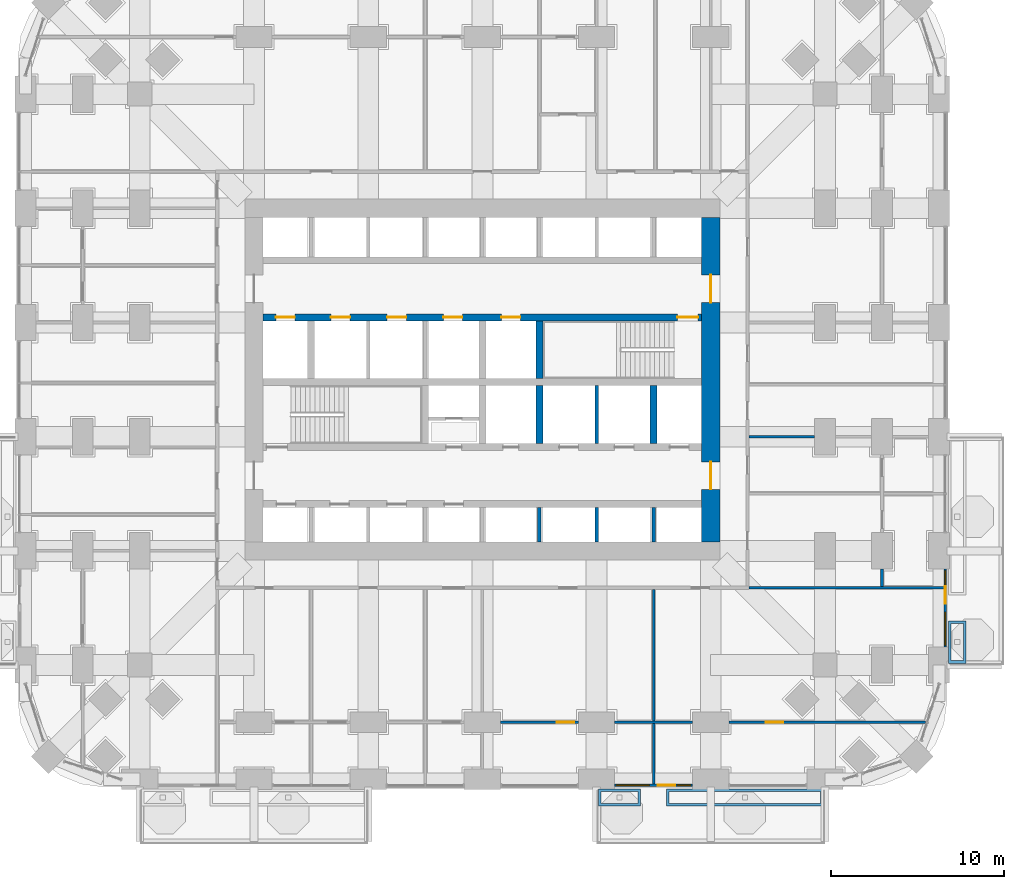
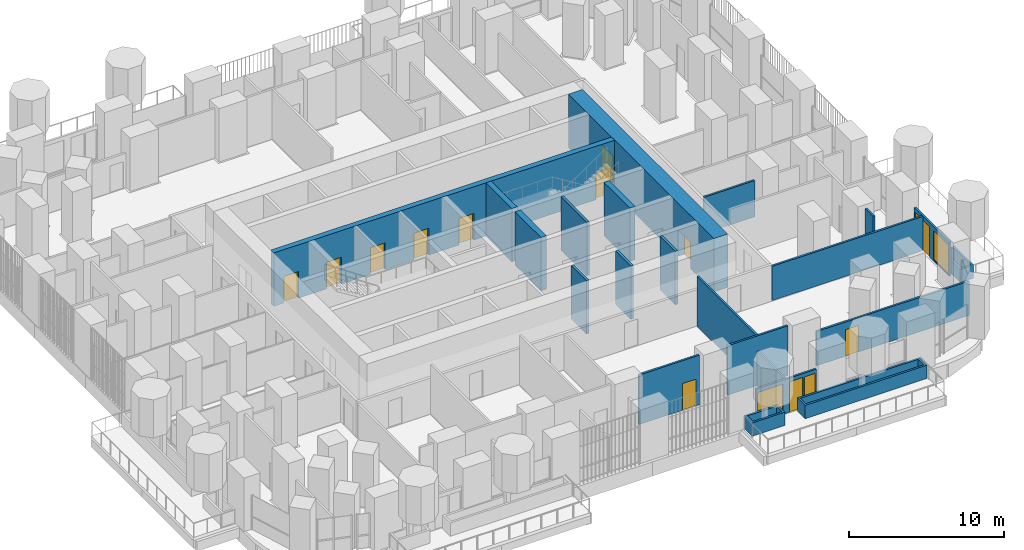
# One storey, part 20 of 27: 22 walls, 12 doors, 4 windows, 16 openings.
"""IFC4 building model written with IfcOpenShell, lengths in metres."""

import ifcopenshell
import ifcopenshell.guid

model = None  # the IFC model being written
_history = None  # IfcOwnerHistory: only IFC2X3 demands one
_inside = {}  # id of a spatial element -> (the spatial element, [elements in it])
_under = {}  # id of a project, library or spatial element -> (it, [spatial elements below it])
_declared = {}  # id of a project -> (the project, [libraries it declares])
_typed = {}  # id of a type object -> (the type object, [elements of that type])
_made_of = {}  # id of a material, layer set ... -> (it, [elements and type objects made of it])


def new_model(schema):
    """Start an empty IFC model of exactly this schema.

    Asked for "IFC4X3", IfcOpenShell would pick the latest addendum, in which some entities
    have other attributes; the version numbers below select the first issue.
    IFC2X3 requires an IfcOwnerHistory on every rooted entity: one is made here for all.
    """
    global model, _history
    if schema == "IFC4X3":
        model = ifcopenshell.file(schema_version=(4, 3, 0, 0))
    else:
        model = ifcopenshell.file(schema=schema)
    _inside.clear()
    _under.clear()
    _declared.clear()
    _typed.clear()
    _made_of.clear()
    _history = None
    if model.schema == "IFC2X3":
        org = make("IfcOrganization", Name="unknown")
        user = make(
            "IfcPersonAndOrganization",
            ThePerson=make("IfcPerson", FamilyName="unknown"),
            TheOrganization=org,
        )
        app = make(
            "IfcApplication",
            ApplicationDeveloper=org,
            Version="unknown",
            ApplicationFullName="unknown",
            ApplicationIdentifier="unknown",
        )
        _history = make(
            "IfcOwnerHistory",
            OwningUser=user,
            OwningApplication=app,
            ChangeAction="ADDED",
            CreationDate=0,
        )
    return model


def make(cls, **values):
    """One entity of the class cls with the attributes given. An attribute that is None is left unset."""
    return model.create_entity(
        cls, **{name: value for name, value in values.items() if value is not None}
    )


def rooted(cls, **values):
    """An entity with a GlobalId (a new one), such as an element, a storey or a relation."""
    return make(cls, GlobalId=ifcopenshell.guid.new(), OwnerHistory=_history, **values)


def si_unit(unit_type, name, prefix=None):
    """IfcSIUnit, for example si_unit("LENGTHUNIT", "METRE", prefix="MILLI")."""
    return make("IfcSIUnit", UnitType=unit_type, Prefix=prefix, Name=name)


def assignment(units):
    """IfcUnitAssignment: the units of a project."""
    return None if units is None else make("IfcUnitAssignment", Units=units)


def point(xyz):
    """IfcCartesianPoint."""
    return None if xyz is None else make("IfcCartesianPoint", Coordinates=xyz)


def direction(xyz):
    """IfcDirection."""
    return None if xyz is None else make("IfcDirection", DirectionRatios=xyz)


def frame(location, z_axis=None, x_axis=None):
    """IfcAxis2Placement3D, a coordinate frame: its origin and axes. An axis left out is left unset."""
    return make(
        "IfcAxis2Placement3D",
        Location=point(location),
        Axis=direction(z_axis),
        RefDirection=direction(x_axis),
    )


def frame_2d(location, x_axis=None):
    """IfcAxis2Placement2D, a coordinate frame in the plane: its origin and x axis."""
    return make(
        "IfcAxis2Placement2D", Location=point(location), RefDirection=direction(x_axis)
    )


def origin():
    """The frame at (0, 0, 0) with its axes left unset."""
    return frame((0.0, 0.0, 0.0))


def place(relative_to, where):
    """IfcLocalPlacement: puts the frame where relative to a parent placement (None: the world)."""
    return make(
        "IfcLocalPlacement", PlacementRelTo=relative_to, RelativePlacement=where
    )


def context(
    kind, dimensions, precision=None, world=None, true_north=None, identifier=None
):
    """IfcGeometricRepresentationContext, for example the 3D "Model" context."""
    return make(
        "IfcGeometricRepresentationContext",
        ContextIdentifier=identifier,
        ContextType=kind,
        CoordinateSpaceDimension=dimensions,
        Precision=precision,
        WorldCoordinateSystem=world,
        TrueNorth=true_north,
    )


def subcontext(parent, identifier, kind, view, scale=None):
    """IfcGeometricRepresentationSubContext, for example "Body" below "Model"."""
    return make(
        "IfcGeometricRepresentationSubContext",
        ContextIdentifier=identifier,
        ContextType=kind,
        ParentContext=parent,
        TargetScale=scale,
        TargetView=view,
    )


def project(units=None, contexts=None):
    """IfcProject with its units and contexts."""
    return rooted(
        "IfcProject",
        Name="project",
        RepresentationContexts=contexts,
        UnitsInContext=assignment(units),
    )


def spatial(cls, under=None, at=None, **own):
    """A site, building, storey or space (cls), placed at a placement, below another one or the project."""
    s = rooted(cls, ObjectPlacement=at, **own)
    if under is not None:
        _under.setdefault(under.id(), (under, []))[1].append(s)
    return s


def polyline(points):
    """IfcPolyline through the points."""
    return make("IfcPolyline", Points=[point(p) for p in points])


def profile(cls, at=None, kind="AREA", **sizes):
    """A parametric profile (cls). Its sizes go by their IFC names, for example OverallWidth=200.0."""
    return make(cls, ProfileType=kind, Position=at, **sizes)


def rectangle(**sizes):
    """IfcRectangleProfileDef."""
    return profile("IfcRectangleProfileDef", **sizes)


def outline(outer, holes=None, kind="AREA"):
    """IfcArbitraryClosedProfileDef: a profile drawn as a closed curve; with holes, ...WithVoids."""
    if holes is None:
        return make("IfcArbitraryClosedProfileDef", ProfileType=kind, OuterCurve=outer)
    return make(
        "IfcArbitraryProfileDefWithVoids",
        ProfileType=kind,
        OuterCurve=outer,
        InnerCurves=holes,
    )


def extrude(swept, where, along, depth):
    """IfcExtrudedAreaSolid: the profile swept, set in the frame where, extruded along a direction by depth."""
    return make(
        "IfcExtrudedAreaSolid",
        SweptArea=swept,
        Position=where,
        ExtrudedDirection=direction(along),
        Depth=depth,
    )


def shape(context_of_items, identifier, shape_type, items):
    """IfcShapeRepresentation: the items that make up one representation, for example the "Body"."""
    return make(
        "IfcShapeRepresentation",
        ContextOfItems=context_of_items,
        RepresentationIdentifier=identifier,
        RepresentationType=shape_type,
        Items=items,
    )


def material(Name=None, Category=None):
    """IfcMaterial."""
    return make("IfcMaterial", Name=Name, Category=Category)


def layer(
    of_material, thickness, ventilated=None, Name=None, Category=None, Priority=None
):
    """IfcMaterialLayer: one layer of a wall or slab, of a material (None: an air gap)."""
    return make(
        "IfcMaterialLayer",
        Material=of_material,
        LayerThickness=thickness,
        IsVentilated=ventilated,
        Name=Name,
        Category=Category,
        Priority=Priority,
    )


def layer_set(layers, Name=None):
    """IfcMaterialLayerSet."""
    return make("IfcMaterialLayerSet", MaterialLayers=layers, LayerSetName=Name)


def made_of(thing, what):
    """Note that an element or type object is made of a material, layer set ...; save() writes the relation."""
    if what is not None:
        _made_of.setdefault(what.id(), (what, []))[1].append(thing)
    return thing


def type_object(cls, material=None, **own):
    """A type object (cls), such as IfcWallType, which elements share."""
    return made_of(rooted(cls, **own), material)


def element(
    cls,
    number,
    at=None,
    inside=None,
    cuts=None,
    type_object=None,
    material=None,
    context=None,
    identifier="Body",
    shape_type=None,
    held_by="IfcProductDefinitionShape",
    body=None,
    shapes=None,
    **own,
):
    """One element of the class cls, such as IfcWall. Its Tag is "e" and its number.

    at: its placement. inside: the storey or other place that contains it. cuts: it is an
    opening in that element (IfcRelVoidsElement). A single representation is given by context,
    identifier, shape_type and body (its items); several are given by shapes. held_by: the class
    of the entity that holds the representations. save() writes the other relations.
    """
    e = rooted(cls, Tag="e%d" % number, ObjectPlacement=at, **own)
    if body is not None:
        shapes = [shape(context, identifier, shape_type, body)]
    if shapes is not None:
        e.Representation = make(held_by, Representations=shapes)
    if inside is not None:
        _inside.setdefault(inside.id(), (inside, []))[1].append(e)
    if cuts is not None:
        rooted(
            "IfcRelVoidsElement", RelatingBuildingElement=cuts, RelatedOpeningElement=e
        )
    if type_object is not None:
        _typed.setdefault(type_object.id(), (type_object, []))[1].append(e)
    return made_of(e, material)


def fill(opening, filler):
    """IfcRelFillsElement: the door or window that sits in an opening."""
    return rooted(
        "IfcRelFillsElement",
        RelatingOpeningElement=opening,
        RelatedBuildingElement=filler,
    )


def aggregate(whole, parts):
    """IfcRelAggregates: a whole, such as a stair, and the parts it consists of."""
    return rooted("IfcRelAggregates", RelatingObject=whole, RelatedObjects=parts)


def save(model, path):
    """Write the relations noted so far, then the file.

    IfcRelAggregates (storeys below a building ...), IfcRelContainedInSpatialStructure (elements
    in a storey), IfcRelDefinesByType, IfcRelAssociatesMaterial and IfcRelDeclares: one each for
    every whole, place, type object, material and project.
    """
    for whole, parts in _under.values():
        aggregate(whole, parts)
    for where, things in _inside.values():
        rooted(
            "IfcRelContainedInSpatialStructure",
            RelatedElements=things,
            RelatingStructure=where,
        )
    for kind, things in _typed.values():
        rooted("IfcRelDefinesByType", RelatedObjects=things, RelatingType=kind)
    for what, things in _made_of.values():
        rooted("IfcRelAssociatesMaterial", RelatedObjects=things, RelatingMaterial=what)
    for by, libraries in _declared.values():
        rooted("IfcRelDeclares", RelatingContext=by, RelatedDefinitions=libraries)
    model.write(path)


model = new_model("IFC4")

# Units and contexts
model_context = context("Model", 3, precision=1e-05, world=origin(), true_north=direction((0.0, 1.0)))
body_context = subcontext(model_context, "Body", "Model", "MODEL_VIEW")
ifc_project = project(units=[si_unit("LENGTHUNIT", "METRE"), si_unit("AREAUNIT", "SQUARE_METRE"), si_unit("VOLUMEUNIT", "CUBIC_METRE"), si_unit("PLANEANGLEUNIT", "RADIAN"), si_unit("MASSUNIT", "GRAM", prefix="KILO")], contexts=[model_context])

# Site, building, storey
site_placement = place(None, origin())
site = spatial("IfcSite", under=ifc_project, at=site_placement, CompositionType="ELEMENT")
building_placement = place(site_placement, origin())
building = spatial("IfcBuilding", under=site, at=building_placement, Name="Cobogo Forest Laboratory Tower", CompositionType="ELEMENT")
storey_placement = place(building_placement, frame((0.0, 0.0, 38.10009765625)))
storey = spatial("IfcBuildingStorey", under=building, at=storey_placement, Name="L08", CompositionType="ELEMENT", Elevation=38.10009765625)

# Wall, openings, doors
ifc_material_1 = material(Name="Concrete HA-50 (C50/60)", Category="concrete")
ifc_layer_1 = layer(ifc_material_1, 0.39990234375)
ifc_layer_set_1 = layer_set([ifc_layer_1], Name="CI400 core inner wall 400")
wall_type_1 = type_object("IfcWallType", Name="CI400 core inner wall 400", PredefinedType="SHEAR", material=ifc_layer_set_1)
wall_1_placement = place(storey_placement, frame((13.72509765625, 26.699951171875, 0.0), z_axis=(0.0, 0.0, 1.0), x_axis=(1.0, 0.0, 0.0)))
wall_1 = element("IfcWall", 1, at=wall_1_placement, inside=storey, type_object=wall_type_1, Name="Core wall CI-26.7 L08", PredefinedType="SHEAR", context=body_context, shape_type="SweptSolid", body=[
    extrude(rectangle(XDim=25.349853515625, YDim=0.39990234375, at=frame_2d((12.6748046875, 0.0))), origin(), (0.0, 0.0, 1.0), 4.199951171875),
])
opening_1_placement = place(wall_1_placement, frame((23.949951171875, 0.0, 0.0)))
opening_1 = element("IfcOpeningElement", 2, at=opening_1_placement, cuts=wall_1, Name="Opening L08-D33", PredefinedType="OPENING", context=body_context, shape_type="SweptSolid", body=[
    extrude(rectangle(XDim=1.199951171875, YDim=2.10009765625, at=frame_2d((0.60009765625, 1.050048828125))), frame((0.0, 0.2099609375, 0.0), z_axis=(0.0, -1.0, 0.0), x_axis=(1.0, 0.0, 0.0)), (0.0, 0.0, 1.0), 0.419921875),
])
opening_2_placement = place(wall_1_placement, frame((0.737548828125, 0.0, 0.0)))
opening_2 = element("IfcOpeningElement", 3, at=opening_2_placement, cuts=wall_1, Name="Opening L08-LD-FL1", PredefinedType="OPENING", context=body_context, shape_type="SweptSolid", body=[
    extrude(rectangle(XDim=1.10009765625, YDim=2.10009765625, at=frame_2d((0.550048828125, 1.050048828125))), frame((0.0, 0.2099609375, 0.0), z_axis=(0.0, -1.0, 0.0), x_axis=(1.0, 0.0, 0.0)), (0.0, 0.0, 1.0), 0.419921875),
])
opening_3_placement = place(wall_1_placement, frame((3.925048828125, 0.0, 0.0)))
opening_3 = element("IfcOpeningElement", 4, at=opening_3_placement, cuts=wall_1, Name="Opening L08-LD-LS3", PredefinedType="OPENING", context=body_context, shape_type="SweptSolid", body=[
    extrude(rectangle(XDim=1.10009765625, YDim=2.10009765625, at=frame_2d((0.550048828125, 1.050048828125))), frame((0.0, 0.2099609375, 0.0), z_axis=(0.0, -1.0, 0.0), x_axis=(1.0, 0.0, 0.0)), (0.0, 0.0, 1.0), 0.419921875),
])
opening_4_placement = place(wall_1_placement, frame((7.175048828125, 0.0, 0.0)))
opening_4 = element("IfcOpeningElement", 5, at=opening_4_placement, cuts=wall_1, Name="Opening L08-LD-LS4", PredefinedType="OPENING", context=body_context, shape_type="SweptSolid", body=[
    extrude(rectangle(XDim=1.10009765625, YDim=2.10009765625, at=frame_2d((0.550048828125, 1.050048828125))), frame((0.0, 0.2099609375, 0.0), z_axis=(0.0, -1.0, 0.0), x_axis=(1.0, 0.0, 0.0)), (0.0, 0.0, 1.0), 0.419921875),
])
opening_5_placement = place(wall_1_placement, frame((10.425048828125, 0.0, 0.0)))
opening_5 = element("IfcOpeningElement", 6, at=opening_5_placement, cuts=wall_1, Name="Opening L08-LD-LS5", PredefinedType="OPENING", context=body_context, shape_type="SweptSolid", body=[
    extrude(rectangle(XDim=1.10009765625, YDim=2.10009765625, at=frame_2d((0.550048828125, 1.050048828125))), frame((0.0, 0.2099609375, 0.0), z_axis=(0.0, -1.0, 0.0), x_axis=(1.0, 0.0, 0.0)), (0.0, 0.0, 1.0), 0.419921875),
])
opening_6_placement = place(wall_1_placement, frame((13.77490234375, 0.0, 0.0)))
opening_6 = element("IfcOpeningElement", 7, at=opening_6_placement, cuts=wall_1, Name="Opening L08-LD-LS6", PredefinedType="OPENING", context=body_context, shape_type="SweptSolid", body=[
    extrude(rectangle(XDim=1.10009765625, YDim=2.10009765625, at=frame_2d((0.550048828125, 1.050048828125))), frame((0.0, 0.2099609375, 0.0), z_axis=(0.0, -1.0, 0.0), x_axis=(1.0, 0.0, 0.0)), (0.0, 0.0, 1.0), 0.419921875),
])
ifc_material_2 = material(Name="Steel fire door", Category="steel")
door_type_1 = type_object("IfcDoorType", Name="DS1 protected stair door 1200 EI2 60", OperationType="SINGLE_SWING_LEFT", PredefinedType="DOOR", material=ifc_material_2)
door_1_placement = place(opening_1_placement, origin())
door_1 = element("IfcDoor", 8, at=door_1_placement, inside=storey, type_object=door_type_1, Name="Door L08-ST2", OperationType="SINGLE_SWING_RIGHT", OverallHeight=2.10009765625, OverallWidth=1.199951171875, PredefinedType="DOOR", context=body_context, shape_type="SweptSolid", body=[
    extrude(rectangle(XDim=1.199951171875, YDim=2.10009765625, at=frame_2d((0.60009765625, 1.050048828125))), frame((0.0, 0.02490234375, 0.0), z_axis=(0.0, -1.0, 0.0), x_axis=(1.0, 0.0, 0.0)), (0.0, 0.0, 1.0), 0.050048828125),
])
fill(opening_1, door_1)
ifc_material_3 = material(Name="Stainless steel lift door", Category="steel")
door_type_2 = type_object("IfcDoorType", Name="LD lift landing door 1100", OperationType="DOUBLE_DOOR_SLIDING", PredefinedType="DOOR", material=ifc_material_3)
door_2_placement = place(opening_2_placement, origin())
door_2 = element("IfcDoor", 9, at=door_2_placement, inside=storey, type_object=door_type_2, Name="Lift landing door FL1 L08", OperationType="DOUBLE_DOOR_SLIDING", OverallHeight=2.10009765625, OverallWidth=1.10009765625, PredefinedType="DOOR", context=body_context, shape_type="SweptSolid", body=[
    extrude(rectangle(XDim=1.10009765625, YDim=2.10009765625, at=frame_2d((0.550048828125, 1.050048828125))), frame((0.0, 0.02490234375, 0.0), z_axis=(0.0, -1.0, 0.0), x_axis=(1.0, 0.0, 0.0)), (0.0, 0.0, 1.0), 0.050048828125),
])
fill(opening_2, door_2)
door_3_placement = place(opening_3_placement, origin())
door_3 = element("IfcDoor", 10, at=door_3_placement, inside=storey, type_object=door_type_2, Name="Lift landing door LS3 L08", OperationType="DOUBLE_DOOR_SLIDING", OverallHeight=2.10009765625, OverallWidth=1.10009765625, PredefinedType="DOOR", context=body_context, shape_type="SweptSolid", body=[
    extrude(rectangle(XDim=1.10009765625, YDim=2.10009765625, at=frame_2d((0.550048828125, 1.050048828125))), frame((0.0, 0.02490234375, 0.0), z_axis=(0.0, -1.0, 0.0), x_axis=(1.0, 0.0, 0.0)), (0.0, 0.0, 1.0), 0.050048828125),
])
fill(opening_3, door_3)
door_4_placement = place(opening_4_placement, origin())
door_4 = element("IfcDoor", 11, at=door_4_placement, inside=storey, type_object=door_type_2, Name="Lift landing door LS4 L08", OperationType="DOUBLE_DOOR_SLIDING", OverallHeight=2.10009765625, OverallWidth=1.10009765625, PredefinedType="DOOR", context=body_context, shape_type="SweptSolid", body=[
    extrude(rectangle(XDim=1.10009765625, YDim=2.10009765625, at=frame_2d((0.550048828125, 1.050048828125))), frame((0.0, 0.02490234375, 0.0), z_axis=(0.0, -1.0, 0.0), x_axis=(1.0, 0.0, 0.0)), (0.0, 0.0, 1.0), 0.050048828125),
])
fill(opening_4, door_4)
door_5_placement = place(opening_5_placement, origin())
door_5 = element("IfcDoor", 12, at=door_5_placement, inside=storey, type_object=door_type_2, Name="Lift landing door LS5 L08", OperationType="DOUBLE_DOOR_SLIDING", OverallHeight=2.10009765625, OverallWidth=1.10009765625, PredefinedType="DOOR", context=body_context, shape_type="SweptSolid", body=[
    extrude(rectangle(XDim=1.10009765625, YDim=2.10009765625, at=frame_2d((0.550048828125, 1.050048828125))), frame((0.0, 0.02490234375, 0.0), z_axis=(0.0, -1.0, 0.0), x_axis=(1.0, 0.0, 0.0)), (0.0, 0.0, 1.0), 0.050048828125),
])
fill(opening_5, door_5)
door_6_placement = place(opening_6_placement, origin())
door_6 = element("IfcDoor", 13, at=door_6_placement, inside=storey, type_object=door_type_2, Name="Lift landing door LS6 L08", OperationType="DOUBLE_DOOR_SLIDING", OverallHeight=2.10009765625, OverallWidth=1.10009765625, PredefinedType="DOOR", context=body_context, shape_type="SweptSolid", body=[
    extrude(rectangle(XDim=1.10009765625, YDim=2.10009765625, at=frame_2d((0.550048828125, 1.050048828125))), frame((0.0, 0.02490234375, 0.0), z_axis=(0.0, -1.0, 0.0), x_axis=(1.0, 0.0, 0.0)), (0.0, 0.0, 1.0), 0.050048828125),
])
fill(opening_6, door_6)

# Walls
for number, where, z_axis, x_axis, name in (
    (14, (29.699951171875, 19.39990234375, 0.0), (0.0, 0.0, 1.0), (0.0, 1.0, 0.0), "Core wall CX-29.7S L08"),
    (15, (36.300048828125, 19.39990234375, 0.0), (0.0, 0.0, 1.0), (0.0, 1.0, 0.0), "Core wall CX-36.3 L08"),
    (16, (29.699951171875, 23.14990234375, 0.0), (0.0, 0.0, 1.0), (0.0, 1.0, 0.0), "Core wall CX-29.7N L08"),
):
    element("IfcWall", number, at=place(storey_placement, frame(where, z_axis=z_axis, x_axis=x_axis)), inside=storey, type_object=wall_type_1, Name=name, PredefinedType="SHEAR", context=body_context, shape_type="SweptSolid", body=[
        extrude(rectangle(XDim=3.35009765625, YDim=0.39990234375, at=frame_2d((1.675048828125, 0.0))), origin(), (0.0, 0.0, 1.0), 4.199951171875),
    ])

# Wall, openings, doors
ifc_layer_2 = layer(ifc_material_1, 1.050048828125)
ifc_layer_set_2 = layer_set([ifc_layer_2], Name="CW1050 core outer wall 1050")
wall_type_2 = type_object("IfcWallType", Name="CW1050 core outer wall 1050", PredefinedType="SHEAR", material=ifc_layer_set_2)
wall_2_placement = place(storey_placement, frame((39.60009765625, 13.72509765625, 0.0), z_axis=(0.0, 0.0, 1.0), x_axis=(0.0, 1.0, 0.0)))
wall_2 = element("IfcWall", 17, at=wall_2_placement, inside=storey, type_object=wall_type_2, Name="Core wall CO-E L08", PredefinedType="SHEAR", context=body_context, shape_type="SweptSolid", body=[
    extrude(rectangle(XDim=18.75, YDim=1.050048828125, at=frame_2d((9.375, 0.0))), origin(), (0.0, 0.0, 1.0), 4.199951171875),
])
opening_7_placement = place(wall_2_placement, frame((3.02490234375, 0.0, 0.0)))
opening_7 = element("IfcOpeningElement", 18, at=opening_7_placement, cuts=wall_2, Name="Opening L08-D22", PredefinedType="OPENING", context=body_context, shape_type="SweptSolid", body=[
    extrude(rectangle(XDim=1.60009765625, YDim=2.10009765625, at=frame_2d((0.800048828125, 1.050048828125))), frame((0.0, 0.534912109375, 0.0), z_axis=(0.0, -1.0, 0.0), x_axis=(1.0, 0.0, 0.0)), (0.0, 0.0, 1.0), 1.070068359375),
])
opening_8_placement = place(wall_2_placement, frame((13.824951171875, 0.0, 0.0)))
opening_8 = element("IfcOpeningElement", 19, at=opening_8_placement, cuts=wall_2, Name="Opening L08-D37", PredefinedType="OPENING", context=body_context, shape_type="SweptSolid", body=[
    extrude(rectangle(XDim=1.60009765625, YDim=2.10009765625, at=frame_2d((0.800048828125, 1.050048828125))), frame((0.0, 0.534912109375, 0.0), z_axis=(0.0, -1.0, 0.0), x_axis=(1.0, 0.0, 0.0)), (0.0, 0.0, 1.0), 1.070068359375),
])
door_type_3 = type_object("IfcDoorType", Name="DS2 protected lobby door pair 1600 EI2 60", OperationType="DOUBLE_DOOR_DOUBLE_SWING", PredefinedType="DOOR", material=ifc_material_2)
door_7_placement = place(opening_7_placement, origin())
door_7 = element("IfcDoor", 20, at=door_7_placement, inside=storey, type_object=door_type_3, Name="Door L08-CO-E-S", OperationType="DOUBLE_DOOR_DOUBLE_SWING", OverallHeight=2.10009765625, OverallWidth=1.60009765625, PredefinedType="DOOR", context=body_context, shape_type="SweptSolid", body=[
    extrude(rectangle(XDim=1.60009765625, YDim=2.10009765625, at=frame_2d((0.800048828125, 1.050048828125))), frame((0.0, 0.02490234375, 0.0), z_axis=(0.0, -1.0, 0.0), x_axis=(1.0, 0.0, 0.0)), (0.0, 0.0, 1.0), 0.050048828125),
])
fill(opening_7, door_7)
door_8_placement = place(opening_8_placement, origin())
door_8 = element("IfcDoor", 21, at=door_8_placement, inside=storey, type_object=door_type_3, Name="Door L08-CO-E-N", OperationType="DOUBLE_DOOR_DOUBLE_SWING", OverallHeight=2.10009765625, OverallWidth=1.60009765625, PredefinedType="DOOR", context=body_context, shape_type="SweptSolid", body=[
    extrude(rectangle(XDim=1.60009765625, YDim=2.10009765625, at=frame_2d((0.800048828125, 1.050048828125))), frame((0.0, 0.02490234375, 0.0), z_axis=(0.0, -1.0, 0.0), x_axis=(1.0, 0.0, 0.0)), (0.0, 0.0, 1.0), 0.050048828125),
])
fill(opening_8, door_8)

# Wall, openings, door, windows
ifc_material_4 = material(Name="Aluminium framed glazed screen", Category="aluminium")
ifc_layer_3 = layer(ifc_material_4, 0.14990234375)
ifc_layer_set_3 = layer_set([ifc_layer_3], Name="GS1 glazed door screen 150")
wall_type_3 = type_object("IfcWallType", Name="GS1 glazed door screen 150", PredefinedType="SOLIDWALL", material=ifc_layer_set_3)
wall_3_placement = place(storey_placement, frame((34.050048828125, -0.35009765625, 0.0), z_axis=(0.0, 0.0, 1.0), x_axis=(1.0, 0.0, 0.0)))
wall_3 = element("IfcWall", 22, at=wall_3_placement, inside=storey, type_object=wall_type_3, Name="Door screen BAL-S2 L08", PredefinedType="SOLIDWALL", context=body_context, shape_type="SweptSolid", body=[
    extrude(rectangle(XDim=4.5, YDim=0.14990234375, at=frame_2d((2.25, 0.0))), origin(), (0.0, 0.0, 1.0), 2.699951171875),
])
opening_9_placement = place(wall_3_placement, frame((2.5, 0.0, 0.0)))
opening_9 = element("IfcOpeningElement", 23, at=opening_9_placement, cuts=wall_3, Name="Opening L08-D02", PredefinedType="OPENING", context=body_context, shape_type="SweptSolid", body=[
    extrude(rectangle(XDim=1.0, YDim=2.39990234375, at=frame_2d((0.5, 1.199951171875))), frame((0.0, 0.0849609375, 0.0), z_axis=(0.0, -1.0, 0.0), x_axis=(1.0, 0.0, 0.0)), (0.0, 0.0, 1.0), 0.169921875),
])
opening_10_placement = place(wall_3_placement, frame((0.10009765625, 0.0, 0.10009765625)))
opening_10 = element("IfcOpeningElement", 24, at=opening_10_placement, cuts=wall_3, Name="Opening L08-W03", PredefinedType="OPENING", context=body_context, shape_type="SweptSolid", body=[
    extrude(rectangle(XDim=1.89990234375, YDim=2.300048828125, at=frame_2d((0.949951171875, 1.14990234375))), frame((0.0, 0.0849609375, 0.0), z_axis=(0.0, -1.0, 0.0), x_axis=(1.0, 0.0, 0.0)), (0.0, 0.0, 1.0), 0.169921875),
])
opening_11_placement = place(wall_3_placement, frame((3.60009765625, 0.0, 0.10009765625)))
opening_11 = element("IfcOpeningElement", 25, at=opening_11_placement, cuts=wall_3, Name="Opening L08-W04", PredefinedType="OPENING", context=body_context, shape_type="SweptSolid", body=[
    extrude(rectangle(XDim=0.800048828125, YDim=2.300048828125, at=frame_2d((0.39990234375, 1.14990234375))), frame((0.0, 0.0849609375, 0.0), z_axis=(0.0, -1.0, 0.0), x_axis=(1.0, 0.0, 0.0)), (0.0, 0.0, 1.0), 0.169921875),
])
ifc_material_5 = material(Name="Aluminium glazed door", Category="aluminium")
door_type_4 = type_object("IfcDoorType", Name="DB1 balcony door 1000 glazed", OperationType="SINGLE_SWING_LEFT", PredefinedType="DOOR", material=ifc_material_5)
door_9_placement = place(opening_9_placement, origin())
door_9 = element("IfcDoor", 26, at=door_9_placement, inside=storey, type_object=door_type_4, Name="Door L08-BAL-S2", OperationType="SINGLE_SWING_RIGHT", OverallHeight=2.39990234375, OverallWidth=1.0, PredefinedType="DOOR", context=body_context, shape_type="SweptSolid", body=[
    extrude(rectangle(XDim=1.0, YDim=2.39990234375, at=frame_2d((0.5, 1.199951171875))), frame((0.0, 0.02490234375, 0.0), z_axis=(0.0, -1.0, 0.0), x_axis=(1.0, 0.0, 0.0)), (0.0, 0.0, 1.0), 0.050048828125),
])
fill(opening_9, door_9)
ifc_material_6 = material(Name="Aluminium framed glazing", Category="aluminium")
window_type_1 = type_object("IfcWindowType", Name="WG3 fixed glazed light 1900x2300", PartitioningType="SINGLE_PANEL", PredefinedType="WINDOW", material=ifc_material_6)
window_1_placement = place(opening_10_placement, origin())
window_1 = element("IfcWindow", 27, at=window_1_placement, inside=storey, type_object=window_type_1, Name="Window L08-BAL-S2-1", OverallHeight=2.300048828125, OverallWidth=1.89990234375, PartitioningType="SINGLE_PANEL", PredefinedType="WINDOW", context=body_context, shape_type="SweptSolid", body=[
    extrude(rectangle(XDim=1.89990234375, YDim=2.300048828125, at=frame_2d((0.949951171875, 1.14990234375))), frame((0.0, 0.030029296875, 0.0), z_axis=(0.0, -1.0, 0.0), x_axis=(1.0, 0.0, 0.0)), (0.0, 0.0, 1.0), 0.06005859375),
])
fill(opening_10, window_1)
window_type_2 = type_object("IfcWindowType", Name="WG4 fixed glazed light 800x2300", PartitioningType="SINGLE_PANEL", PredefinedType="WINDOW", material=ifc_material_6)
window_2_placement = place(opening_11_placement, origin())
window_2 = element("IfcWindow", 28, at=window_2_placement, inside=storey, type_object=window_type_2, Name="Window L08-BAL-S2-2", OverallHeight=2.300048828125, OverallWidth=0.800048828125, PartitioningType="SINGLE_PANEL", PredefinedType="WINDOW", context=body_context, shape_type="SweptSolid", body=[
    extrude(rectangle(XDim=0.800048828125, YDim=2.300048828125, at=frame_2d((0.39990234375, 1.14990234375))), frame((0.0, 0.030029296875, 0.0), z_axis=(0.0, -1.0, 0.0), x_axis=(1.0, 0.0, 0.0)), (0.0, 0.0, 1.0), 0.06005859375),
])
fill(opening_11, window_2)

wall_4_placement = place(storey_placement, frame((53.14990234375, 7.64990234375, 0.0), z_axis=(0.0, 0.0, 1.0), x_axis=(0.0, 1.0, 0.0)))
wall_4 = element("IfcWall", 29, at=wall_4_placement, inside=storey, type_object=wall_type_3, Name="Door screen BAL-E1 L08", PredefinedType="SOLIDWALL", context=body_context, shape_type="SweptSolid", body=[
    extrude(rectangle(XDim=4.5, YDim=0.14990234375, at=frame_2d((2.25, 0.0))), origin(), (0.0, 0.0, 1.0), 2.699951171875),
])
opening_12_placement = place(wall_4_placement, frame((2.5, 0.0, 0.0)))
opening_12 = element("IfcOpeningElement", 30, at=opening_12_placement, cuts=wall_4, Name="Opening L08-D10", PredefinedType="OPENING", context=body_context, shape_type="SweptSolid", body=[
    extrude(rectangle(XDim=1.0, YDim=2.39990234375, at=frame_2d((0.5, 1.199951171875))), frame((0.0, 0.0849609375, 0.0), z_axis=(0.0, -1.0, 0.0), x_axis=(1.0, 0.0, 0.0)), (0.0, 0.0, 1.0), 0.169921875),
])
opening_13_placement = place(wall_4_placement, frame((0.10009765625, 0.0, 0.10009765625)))
opening_13 = element("IfcOpeningElement", 31, at=opening_13_placement, cuts=wall_4, Name="Opening L08-W06", PredefinedType="OPENING", context=body_context, shape_type="SweptSolid", body=[
    extrude(rectangle(XDim=1.89990234375, YDim=2.300048828125, at=frame_2d((0.949951171875, 1.14990234375))), frame((0.0, 0.0849609375, 0.0), z_axis=(0.0, -1.0, 0.0), x_axis=(1.0, 0.0, 0.0)), (0.0, 0.0, 1.0), 0.169921875),
])
opening_14_placement = place(wall_4_placement, frame((3.60009765625, 0.0, 0.10009765625)))
opening_14 = element("IfcOpeningElement", 32, at=opening_14_placement, cuts=wall_4, Name="Opening L08-W08", PredefinedType="OPENING", context=body_context, shape_type="SweptSolid", body=[
    extrude(rectangle(XDim=0.800048828125, YDim=2.300048828125, at=frame_2d((0.39990234375, 1.14990234375))), frame((0.0, 0.0849609375, 0.0), z_axis=(0.0, -1.0, 0.0), x_axis=(1.0, 0.0, 0.0)), (0.0, 0.0, 1.0), 0.169921875),
])
door_10_placement = place(opening_12_placement, origin())
door_10 = element("IfcDoor", 33, at=door_10_placement, inside=storey, type_object=door_type_4, Name="Door L08-BAL-E1", OperationType="SINGLE_SWING_RIGHT", OverallHeight=2.39990234375, OverallWidth=1.0, PredefinedType="DOOR", context=body_context, shape_type="SweptSolid", body=[
    extrude(rectangle(XDim=1.0, YDim=2.39990234375, at=frame_2d((0.5, 1.199951171875))), frame((0.0, 0.02490234375, 0.0), z_axis=(0.0, -1.0, 0.0), x_axis=(1.0, 0.0, 0.0)), (0.0, 0.0, 1.0), 0.050048828125),
])
fill(opening_12, door_10)
window_3_placement = place(opening_13_placement, origin())
window_3 = element("IfcWindow", 34, at=window_3_placement, inside=storey, type_object=window_type_1, Name="Window L08-BAL-E1-1", OverallHeight=2.300048828125, OverallWidth=1.89990234375, PartitioningType="SINGLE_PANEL", PredefinedType="WINDOW", context=body_context, shape_type="SweptSolid", body=[
    extrude(rectangle(XDim=1.89990234375, YDim=2.300048828125, at=frame_2d((0.949951171875, 1.14990234375))), frame((0.0, 0.030029296875, 0.0), z_axis=(0.0, -1.0, 0.0), x_axis=(1.0, 0.0, 0.0)), (0.0, 0.0, 1.0), 0.06005859375),
])
fill(opening_13, window_3)
window_4_placement = place(opening_14_placement, origin())
window_4 = element("IfcWindow", 35, at=window_4_placement, inside=storey, type_object=window_type_2, Name="Window L08-BAL-E1-2", OverallHeight=2.300048828125, OverallWidth=0.800048828125, PartitioningType="SINGLE_PANEL", PredefinedType="WINDOW", context=body_context, shape_type="SweptSolid", body=[
    extrude(rectangle(XDim=0.800048828125, YDim=2.300048828125, at=frame_2d((0.39990234375, 1.14990234375))), frame((0.0, 0.030029296875, 0.0), z_axis=(0.0, -1.0, 0.0), x_axis=(1.0, 0.0, 0.0)), (0.0, 0.0, 1.0), 0.06005859375),
])
fill(opening_14, window_4)

# Wall
ifc_material_7 = material(Name="Gypsum board on steel studs", Category="steel")
ifc_layer_4 = layer(ifc_material_7, 0.14990234375)
ifc_layer_set_4 = layer_set([ifc_layer_4], Name="PT1 laboratory partition 150")
wall_type_4 = type_object("IfcWallType", Name="PT1 laboratory partition 150", PredefinedType="PARTITIONING", material=ifc_layer_set_4)
wall_5_placement = place(storey_placement, frame((53.070068359375, 11.074951171875, 0.0), z_axis=(0.0, 0.0, 1.0), x_axis=(-1.0, 0.0, 0.0)))
element("IfcWall", 36, at=wall_5_placement, inside=storey, type_object=wall_type_4, Name="Partition PW-SE L08", PredefinedType="PARTITIONING", context=body_context, shape_type="SweptSolid", body=[
    extrude(rectangle(XDim=11.2451171875, YDim=0.14990234375, at=frame_2d((5.62255859375, 0.0))), origin(), (0.0, 0.0, 1.0), 2.699951171875),
])

# Wall, opening, door
wall_6_placement = place(storey_placement, frame((27.449951171875, 3.300048828125, 0.0), z_axis=(0.0, 0.0, 1.0), x_axis=(1.0, 0.0, 0.0)))
wall_6 = element("IfcWall", 37, at=wall_6_placement, inside=storey, type_object=wall_type_4, Name="Partition STRIP-S-4 L08", PredefinedType="PARTITIONING", context=body_context, shape_type="SweptSolid", body=[
    extrude(rectangle(XDim=4.5, YDim=0.14990234375, at=frame_2d((2.25, 0.0))), origin(), (0.0, 0.0, 1.0), 3.89990234375),
])
opening_15_placement = place(wall_6_placement, frame((3.25, 0.0, 0.0)))
opening_15 = element("IfcOpeningElement", 38, at=opening_15_placement, cuts=wall_6, Name="Opening L08-D06", PredefinedType="OPENING", context=body_context, shape_type="SweptSolid", body=[
    extrude(rectangle(XDim=1.0, YDim=2.10009765625, at=frame_2d((0.5, 1.050048828125))), frame((0.0, 0.0849609375, 0.0), z_axis=(0.0, -1.0, 0.0), x_axis=(1.0, 0.0, 0.0)), (0.0, 0.0, 1.0), 0.169921875),
])
ifc_material_8 = material(Name="Timber fire door", Category="wood")
door_type_5 = type_object("IfcDoorType", Name="FD2 fire door 1000 EI2 30", OperationType="SINGLE_SWING_LEFT", PredefinedType="DOOR", material=ifc_material_8)
door_11_placement = place(opening_15_placement, origin())
door_11 = element("IfcDoor", 39, at=door_11_placement, inside=storey, type_object=door_type_5, Name="Door L08-S4W", OperationType="SINGLE_SWING_RIGHT", OverallHeight=2.10009765625, OverallWidth=1.0, PredefinedType="DOOR", context=body_context, shape_type="SweptSolid", body=[
    extrude(rectangle(XDim=1.0, YDim=2.10009765625, at=frame_2d((0.5, 1.050048828125))), frame((0.0, 0.02490234375, 0.0), z_axis=(0.0, -1.0, 0.0), x_axis=(1.0, 0.0, 0.0)), (0.0, 0.0, 1.0), 0.050048828125),
])
fill(opening_15, door_11)

# Wall
wall_7_placement = place(storey_placement, frame((34.050048828125, 3.300048828125, 0.0), z_axis=(0.0, 0.0, 1.0), x_axis=(1.0, 0.0, 0.0)))
element("IfcWall", 40, at=wall_7_placement, inside=storey, type_object=wall_type_4, Name="Partition STRIP-S-5 L08", PredefinedType="PARTITIONING", context=body_context, shape_type="SweptSolid", body=[
    extrude(rectangle(XDim=4.5, YDim=0.14990234375, at=frame_2d((2.25, 0.0))), origin(), (0.0, 0.0, 1.0), 3.89990234375),
])

# Wall, opening, door
wall_8_placement = place(storey_placement, frame((40.64990234375, 3.300048828125, 0.0), z_axis=(0.0, 0.0, 1.0), x_axis=(1.0, 0.0, 0.0)))
wall_8 = element("IfcWall", 41, at=wall_8_placement, inside=storey, type_object=wall_type_4, Name="Partition STRIP-S-6 L08", PredefinedType="PARTITIONING", context=body_context, shape_type="SweptSolid", body=[
    extrude(rectangle(XDim=11.3740234375, YDim=0.14990234375, at=frame_2d((5.68701171875, 0.0))), origin(), (0.0, 0.0, 1.0), 2.699951171875),
])
opening_16_placement = place(wall_8_placement, frame((2.14208984375, 0.0, 0.0)))
opening_16 = element("IfcOpeningElement", 42, at=opening_16_placement, cuts=wall_8, Name="Opening L08-D07", PredefinedType="OPENING", context=body_context, shape_type="SweptSolid", body=[
    extrude(rectangle(XDim=1.0, YDim=2.10009765625, at=frame_2d((0.5, 1.050048828125))), frame((0.0, 0.0849609375, 0.0), z_axis=(0.0, -1.0, 0.0), x_axis=(1.0, 0.0, 0.0)), (0.0, 0.0, 1.0), 0.169921875),
])
door_12_placement = place(opening_16_placement, origin())
door_12 = element("IfcDoor", 43, at=door_12_placement, inside=storey, type_object=door_type_5, Name="Door L08-S5W", OperationType="SINGLE_SWING_LEFT", OverallHeight=2.10009765625, OverallWidth=1.0, PredefinedType="DOOR", context=body_context, shape_type="SweptSolid", body=[
    extrude(rectangle(XDim=1.0, YDim=2.10009765625, at=frame_2d((0.5, 1.050048828125))), frame((0.0, 0.02490234375, 0.0), z_axis=(0.0, -1.0, 0.0), x_axis=(1.0, 0.0, 0.0)), (0.0, 0.0, 1.0), 0.050048828125),
])
fill(opening_16, door_12)

# Walls
wall_9_placement = place(storey_placement, frame((36.300048828125, -0.27001953125, 0.0), z_axis=(0.0, 0.0, 1.0), x_axis=(0.0, 1.0, 0.0)))
element("IfcWall", 44, at=wall_9_placement, inside=storey, type_object=wall_type_4, Name="Partition CUT-S36.3a-1 L08", PredefinedType="PARTITIONING", context=body_context, shape_type="SweptSolid", body=[
    extrude(rectangle(XDim=3.4951171875, YDim=0.14990234375, at=frame_2d((1.74755859375, 0.0))), origin(), (0.0, 0.0, 1.0), 2.699951171875),
])
wall_10_placement = place(storey_placement, frame((36.300048828125, 3.375, 0.0), z_axis=(0.0, 0.0, 1.0), x_axis=(0.0, 1.0, 0.0)))
element("IfcWall", 45, at=wall_10_placement, inside=storey, type_object=wall_type_4, Name="Partition CUT-S36.3b-1 L08", PredefinedType="PARTITIONING", context=body_context, shape_type="SweptSolid", body=[
    extrude(rectangle(XDim=7.60009765625, YDim=0.14990234375, at=frame_2d((3.800048828125, 0.0))), origin(), (0.0, 0.0, 1.0), 3.89990234375),
])
wall_11_placement = place(storey_placement, frame((49.5, 11.14990234375, 0.0), z_axis=(0.0, 0.0, 1.0), x_axis=(0.0, 1.0, 0.0)))
element("IfcWall", 46, at=wall_11_placement, inside=storey, type_object=wall_type_4, Name="Partition STRIP-E-1 L08", PredefinedType="PARTITIONING", context=body_context, shape_type="SweptSolid", body=[
    extrude(rectangle(XDim=1.0, YDim=0.14990234375, at=frame_2d((0.5, 0.0))), origin(), (0.0, 0.0, 1.0), 3.89990234375),
])
wall_12_placement = place(storey_placement, frame((45.60009765625, 19.800048828125, 0.0), z_axis=(0.0, 0.0, 1.0), x_axis=(-1.0, 0.0, 0.0)))
element("IfcWall", 47, at=wall_12_placement, inside=storey, type_object=wall_type_4, Name="Partition CUT-E19.8-3 L08", PredefinedType="PARTITIONING", context=body_context, shape_type="SweptSolid", body=[
    extrude(rectangle(XDim=3.775146484375, YDim=0.14990234375, at=frame_2d((1.8876953125, 0.0))), origin(), (0.0, 0.0, 1.0), 2.849853515625),
])
ifc_material_9 = material(Name="Concrete HA-40 (C40/50)", Category="concrete")
ifc_layer_5 = layer(ifc_material_9, 0.14990234375)
ifc_layer_set_5 = layer_set([ifc_layer_5], Name="Planter box 1000x1050")
wall_type_5 = type_object("IfcWallType", Name="Planter box 1000x1050", PredefinedType="USERDEFINED", material=ifc_layer_set_5)
wall_13_placement = place(storey_placement, origin())
element("IfcWall", 48, at=wall_13_placement, inside=storey, type_object=wall_type_5, Name="Planter BAL-S2-1 L08", ObjectType="PLANTER", PredefinedType="USERDEFINED", context=body_context, shape_type="SweptSolid", body=[
    extrude(outline(polyline([(33.10009765625, -1.550048828125), (35.550048828125, -1.550048828125), (35.550048828125, -0.550048828125), (33.10009765625, -0.550048828125), (33.10009765625, -1.550048828125)]), holes=[polyline([(33.25, -1.39990234375), (35.39990234375, -1.39990234375), (35.39990234375, -0.699951171875), (33.25, -0.699951171875), (33.25, -1.39990234375)])]), origin(), (0.0, 0.0, 1.0), 1.0498046875),
])
wall_14_placement = place(storey_placement, origin())
element("IfcWall", 49, at=wall_14_placement, inside=storey, type_object=wall_type_5, Name="Planter BAL-S2-2 L08", ObjectType="PLANTER", PredefinedType="USERDEFINED", context=body_context, shape_type="SweptSolid", body=[
    extrude(outline(polyline([(37.050048828125, -1.550048828125), (46.10009765625, -1.550048828125), (46.10009765625, -0.550048828125), (37.050048828125, -0.550048828125), (37.050048828125, -1.550048828125)]), holes=[polyline([(37.199951171875, -1.39990234375), (45.949951171875, -1.39990234375), (45.949951171875, -0.699951171875), (37.199951171875, -0.699951171875), (37.199951171875, -1.39990234375)])]), origin(), (0.0, 0.0, 1.0), 1.0498046875),
])
wall_15_placement = place(storey_placement, origin())
element("IfcWall", 50, at=wall_15_placement, inside=storey, type_object=wall_type_5, Name="Planter BAL-E1-1 L08", ObjectType="PLANTER", PredefinedType="USERDEFINED", context=body_context, shape_type="SweptSolid", body=[
    extrude(outline(polyline([(53.35009765625, 6.699951171875), (54.35009765625, 6.699951171875), (54.35009765625, 9.14990234375), (53.35009765625, 9.14990234375), (53.35009765625, 6.699951171875)]), holes=[polyline([(53.5, 6.85009765625), (54.199951171875, 6.85009765625), (54.199951171875, 9.0), (53.5, 9.0), (53.5, 6.85009765625)])]), origin(), (0.0, 0.0, 1.0), 1.0498046875),
])
ifc_material_10 = material(Name="Concrete block", Category="concrete")
ifc_layer_6 = layer(ifc_material_10, 0.199951171875)
ifc_layer_set_6 = layer_set([ifc_layer_6], Name="SW200 lift shaft separator 200")
wall_type_6 = type_object("IfcWallType", Name="SW200 lift shaft separator 200", PredefinedType="PARTITIONING", material=ifc_layer_set_6)
for number, where, z_axis, x_axis, name in (
    (51, (29.699951171875, 13.72509765625, 0.0), (0.0, 0.0, 1.0), (0.0, 1.0, 0.0), "Core wall SEP-S5 L08"),
    (52, (33.0, 13.72509765625, 0.0), (0.0, 0.0, 1.0), (0.0, 1.0, 0.0), "Core wall SEP-S6 L08"),
    (53, (36.300048828125, 13.72509765625, 0.0), (0.0, 0.0, 1.0), (0.0, 1.0, 0.0), "Core wall SEP-S7 L08"),
):
    element("IfcWall", number, at=place(storey_placement, frame(where, z_axis=z_axis, x_axis=x_axis)), inside=storey, type_object=wall_type_6, Name=name, PredefinedType="PARTITIONING", context=body_context, shape_type="SweptSolid", body=[
        extrude(rectangle(XDim=1.974853515625, YDim=0.199951171875, at=frame_2d((0.9873046875, 0.0))), origin(), (0.0, 0.0, 1.0), 4.199951171875),
    ])
wall_16_placement = place(storey_placement, frame((33.0, 19.39990234375, 0.0), z_axis=(0.0, 0.0, 1.0), x_axis=(0.0, 1.0, 0.0)))
element("IfcWall", 54, at=wall_16_placement, inside=storey, type_object=wall_type_6, Name="Core wall SEP-M33.0 L08", PredefinedType="PARTITIONING", context=body_context, shape_type="SweptSolid", body=[
    extrude(rectangle(XDim=3.35009765625, YDim=0.199951171875, at=frame_2d((1.675048828125, 0.0))), origin(), (0.0, 0.0, 1.0), 4.199951171875),
])

save(model, "model.ifc")
